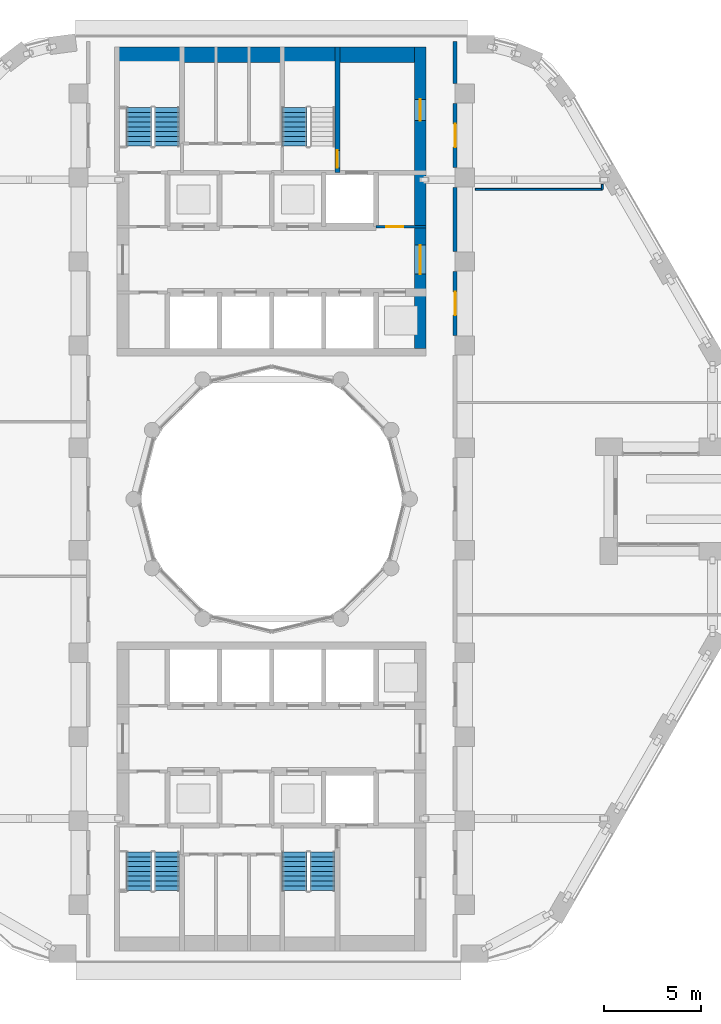
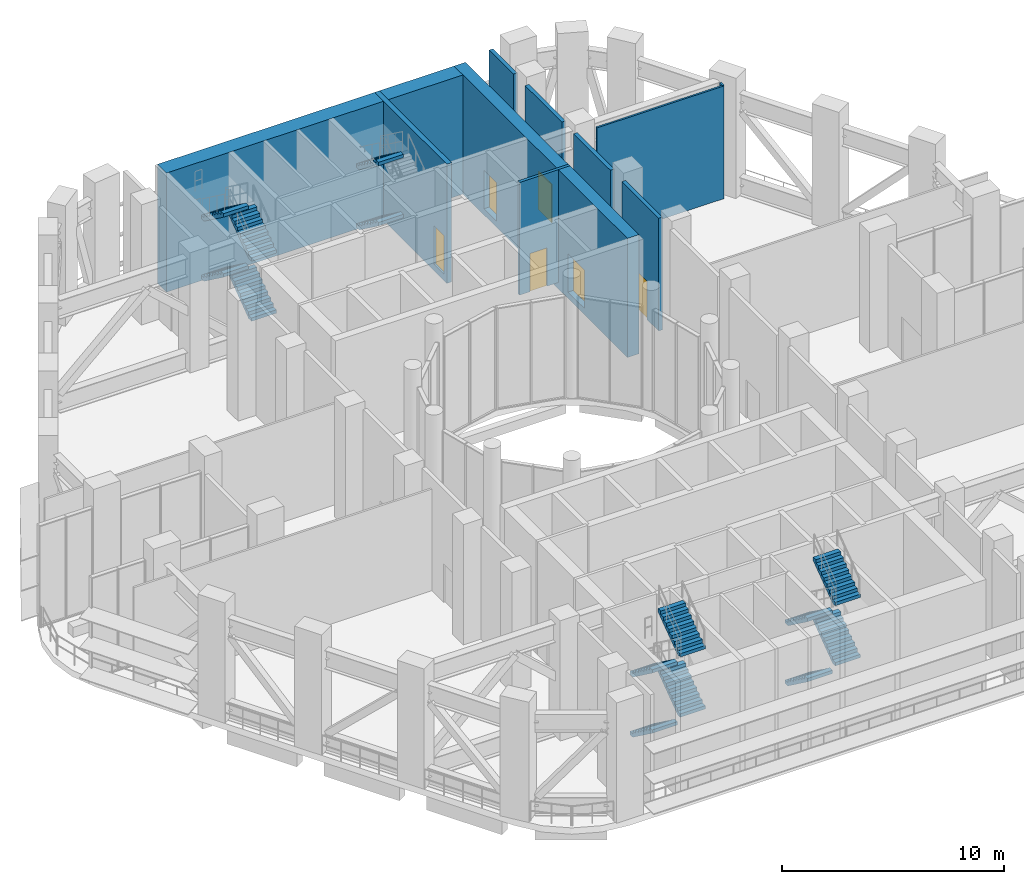
# One storey, part 11 of 21: 14 stair flights, 10 walls, 6 doors, 6 openings, 4 elements without a shape of their own.
"""IFC4 building model written with IfcOpenShell, lengths in metres."""

import ifcopenshell
import ifcopenshell.guid

model = None  # the IFC model being written
_history = None  # IfcOwnerHistory: only IFC2X3 demands one
_inside = {}  # id of a spatial element -> (the spatial element, [elements in it])
_under = {}  # id of a project, library or spatial element -> (it, [spatial elements below it])
_declared = {}  # id of a project -> (the project, [libraries it declares])
_typed = {}  # id of a type object -> (the type object, [elements of that type])
_made_of = {}  # id of a material, layer set ... -> (it, [elements and type objects made of it])


def new_model(schema):
    """Start an empty IFC model of exactly this schema.

    Asked for "IFC4X3", IfcOpenShell would pick the latest addendum, in which some entities
    have other attributes; the version numbers below select the first issue.
    IFC2X3 requires an IfcOwnerHistory on every rooted entity: one is made here for all.
    """
    global model, _history
    if schema == "IFC4X3":
        model = ifcopenshell.file(schema_version=(4, 3, 0, 0))
    else:
        model = ifcopenshell.file(schema=schema)
    _inside.clear()
    _under.clear()
    _declared.clear()
    _typed.clear()
    _made_of.clear()
    _history = None
    if model.schema == "IFC2X3":
        org = make("IfcOrganization", Name="unknown")
        user = make(
            "IfcPersonAndOrganization",
            ThePerson=make("IfcPerson", FamilyName="unknown"),
            TheOrganization=org,
        )
        app = make(
            "IfcApplication",
            ApplicationDeveloper=org,
            Version="unknown",
            ApplicationFullName="unknown",
            ApplicationIdentifier="unknown",
        )
        _history = make(
            "IfcOwnerHistory",
            OwningUser=user,
            OwningApplication=app,
            ChangeAction="ADDED",
            CreationDate=0,
        )
    return model


def make(cls, **values):
    """One entity of the class cls with the attributes given. An attribute that is None is left unset."""
    return model.create_entity(
        cls, **{name: value for name, value in values.items() if value is not None}
    )


def rooted(cls, **values):
    """An entity with a GlobalId (a new one), such as an element, a storey or a relation."""
    return make(cls, GlobalId=ifcopenshell.guid.new(), OwnerHistory=_history, **values)


def si_unit(unit_type, name, prefix=None):
    """IfcSIUnit, for example si_unit("LENGTHUNIT", "METRE", prefix="MILLI")."""
    return make("IfcSIUnit", UnitType=unit_type, Prefix=prefix, Name=name)


def assignment(units):
    """IfcUnitAssignment: the units of a project."""
    return None if units is None else make("IfcUnitAssignment", Units=units)


def point(xyz):
    """IfcCartesianPoint."""
    return None if xyz is None else make("IfcCartesianPoint", Coordinates=xyz)


def direction(xyz):
    """IfcDirection."""
    return None if xyz is None else make("IfcDirection", DirectionRatios=xyz)


def frame(location, z_axis=None, x_axis=None):
    """IfcAxis2Placement3D, a coordinate frame: its origin and axes. An axis left out is left unset."""
    return make(
        "IfcAxis2Placement3D",
        Location=point(location),
        Axis=direction(z_axis),
        RefDirection=direction(x_axis),
    )


def frame_2d(location, x_axis=None):
    """IfcAxis2Placement2D, a coordinate frame in the plane: its origin and x axis."""
    return make(
        "IfcAxis2Placement2D", Location=point(location), RefDirection=direction(x_axis)
    )


def origin():
    """The frame at (0, 0, 0) with its axes left unset."""
    return frame((0.0, 0.0, 0.0))


def place(relative_to, where):
    """IfcLocalPlacement: puts the frame where relative to a parent placement (None: the world)."""
    return make(
        "IfcLocalPlacement", PlacementRelTo=relative_to, RelativePlacement=where
    )


def context(
    kind, dimensions, precision=None, world=None, true_north=None, identifier=None
):
    """IfcGeometricRepresentationContext, for example the 3D "Model" context."""
    return make(
        "IfcGeometricRepresentationContext",
        ContextIdentifier=identifier,
        ContextType=kind,
        CoordinateSpaceDimension=dimensions,
        Precision=precision,
        WorldCoordinateSystem=world,
        TrueNorth=true_north,
    )


def subcontext(parent, identifier, kind, view, scale=None):
    """IfcGeometricRepresentationSubContext, for example "Body" below "Model"."""
    return make(
        "IfcGeometricRepresentationSubContext",
        ContextIdentifier=identifier,
        ContextType=kind,
        ParentContext=parent,
        TargetScale=scale,
        TargetView=view,
    )


def project(units=None, contexts=None):
    """IfcProject with its units and contexts."""
    return rooted(
        "IfcProject",
        Name="project",
        RepresentationContexts=contexts,
        UnitsInContext=assignment(units),
    )


def spatial(cls, under=None, at=None, **own):
    """A site, building, storey or space (cls), placed at a placement, below another one or the project."""
    s = rooted(cls, ObjectPlacement=at, **own)
    if under is not None:
        _under.setdefault(under.id(), (under, []))[1].append(s)
    return s


def polyline(points):
    """IfcPolyline through the points."""
    return make("IfcPolyline", Points=[point(p) for p in points])


def profile(cls, at=None, kind="AREA", **sizes):
    """A parametric profile (cls). Its sizes go by their IFC names, for example OverallWidth=200.0."""
    return make(cls, ProfileType=kind, Position=at, **sizes)


def rectangle(**sizes):
    """IfcRectangleProfileDef."""
    return profile("IfcRectangleProfileDef", **sizes)


def outline(outer, holes=None, kind="AREA"):
    """IfcArbitraryClosedProfileDef: a profile drawn as a closed curve; with holes, ...WithVoids."""
    if holes is None:
        return make("IfcArbitraryClosedProfileDef", ProfileType=kind, OuterCurve=outer)
    return make(
        "IfcArbitraryProfileDefWithVoids",
        ProfileType=kind,
        OuterCurve=outer,
        InnerCurves=holes,
    )


def extrude(swept, where, along, depth):
    """IfcExtrudedAreaSolid: the profile swept, set in the frame where, extruded along a direction by depth."""
    return make(
        "IfcExtrudedAreaSolid",
        SweptArea=swept,
        Position=where,
        ExtrudedDirection=direction(along),
        Depth=depth,
    )


def shape(context_of_items, identifier, shape_type, items):
    """IfcShapeRepresentation: the items that make up one representation, for example the "Body"."""
    return make(
        "IfcShapeRepresentation",
        ContextOfItems=context_of_items,
        RepresentationIdentifier=identifier,
        RepresentationType=shape_type,
        Items=items,
    )


def material(Name=None, Category=None):
    """IfcMaterial."""
    return make("IfcMaterial", Name=Name, Category=Category)


def layer(
    of_material, thickness, ventilated=None, Name=None, Category=None, Priority=None
):
    """IfcMaterialLayer: one layer of a wall or slab, of a material (None: an air gap)."""
    return make(
        "IfcMaterialLayer",
        Material=of_material,
        LayerThickness=thickness,
        IsVentilated=ventilated,
        Name=Name,
        Category=Category,
        Priority=Priority,
    )


def layer_set(layers, Name=None):
    """IfcMaterialLayerSet."""
    return make("IfcMaterialLayerSet", MaterialLayers=layers, LayerSetName=Name)


def made_of(thing, what):
    """Note that an element or type object is made of a material, layer set ...; save() writes the relation."""
    if what is not None:
        _made_of.setdefault(what.id(), (what, []))[1].append(thing)
    return thing


def type_object(cls, material=None, **own):
    """A type object (cls), such as IfcWallType, which elements share."""
    return made_of(rooted(cls, **own), material)


def element(
    cls,
    number,
    at=None,
    inside=None,
    cuts=None,
    type_object=None,
    material=None,
    context=None,
    identifier="Body",
    shape_type=None,
    held_by="IfcProductDefinitionShape",
    body=None,
    shapes=None,
    **own,
):
    """One element of the class cls, such as IfcWall. Its Tag is "e" and its number.

    at: its placement. inside: the storey or other place that contains it. cuts: it is an
    opening in that element (IfcRelVoidsElement). A single representation is given by context,
    identifier, shape_type and body (its items); several are given by shapes. held_by: the class
    of the entity that holds the representations. save() writes the other relations.
    """
    e = rooted(cls, Tag="e%d" % number, ObjectPlacement=at, **own)
    if body is not None:
        shapes = [shape(context, identifier, shape_type, body)]
    if shapes is not None:
        e.Representation = make(held_by, Representations=shapes)
    if inside is not None:
        _inside.setdefault(inside.id(), (inside, []))[1].append(e)
    if cuts is not None:
        rooted(
            "IfcRelVoidsElement", RelatingBuildingElement=cuts, RelatedOpeningElement=e
        )
    if type_object is not None:
        _typed.setdefault(type_object.id(), (type_object, []))[1].append(e)
    return made_of(e, material)


def fill(opening, filler):
    """IfcRelFillsElement: the door or window that sits in an opening."""
    return rooted(
        "IfcRelFillsElement",
        RelatingOpeningElement=opening,
        RelatedBuildingElement=filler,
    )


def aggregate(whole, parts):
    """IfcRelAggregates: a whole, such as a stair, and the parts it consists of."""
    return rooted("IfcRelAggregates", RelatingObject=whole, RelatedObjects=parts)


def save(model, path):
    """Write the relations noted so far, then the file.

    IfcRelAggregates (storeys below a building ...), IfcRelContainedInSpatialStructure (elements
    in a storey), IfcRelDefinesByType, IfcRelAssociatesMaterial and IfcRelDeclares: one each for
    every whole, place, type object, material and project.
    """
    for whole, parts in _under.values():
        aggregate(whole, parts)
    for where, things in _inside.values():
        rooted(
            "IfcRelContainedInSpatialStructure",
            RelatedElements=things,
            RelatingStructure=where,
        )
    for kind, things in _typed.values():
        rooted("IfcRelDefinesByType", RelatedObjects=things, RelatingType=kind)
    for what, things in _made_of.values():
        rooted("IfcRelAssociatesMaterial", RelatedObjects=things, RelatingMaterial=what)
    for by, libraries in _declared.values():
        rooted("IfcRelDeclares", RelatingContext=by, RelatedDefinitions=libraries)
    model.write(path)


model = new_model("IFC4")

# Units and contexts
model_context = context("Model", 3, precision=1e-05, world=origin(), true_north=direction((0.0, 1.0)))
body_context = subcontext(model_context, "Body", "Model", "MODEL_VIEW")
ifc_project = project(units=[si_unit("LENGTHUNIT", "METRE"), si_unit("AREAUNIT", "SQUARE_METRE"), si_unit("VOLUMEUNIT", "CUBIC_METRE"), si_unit("PLANEANGLEUNIT", "RADIAN"), si_unit("MASSUNIT", "GRAM", prefix="KILO")], contexts=[model_context])

# Site, building, storey
site_placement = place(None, origin())
site = spatial("IfcSite", under=ifc_project, at=site_placement, CompositionType="ELEMENT")
building_placement = place(site_placement, origin())
building = spatial("IfcBuilding", under=site, at=building_placement, Name="Nakaniwa Court", CompositionType="ELEMENT")
storey_placement = place(building_placement, frame((0.0, 0.0, 120.60009765625)))
storey = spatial("IfcBuildingStorey", under=building, at=storey_placement, Name="S2", CompositionType="ELEMENT", Elevation=120.60009765625)

# Wall, opening, door
ifc_material_1 = material(Name="Acoustic double stud partition")
ifc_layer_1 = layer(ifc_material_1, 0.199951171875)
ifc_layer_set_1 = layer_set([ifc_layer_1], Name="Acoustic double stud partition")
wall_type_1 = type_object("IfcWallType", Name="Acoustic double stud partition 200", PredefinedType="PARTITIONING", material=ifc_layer_set_1)
wall_1_placement = place(storey_placement, frame((89.5, 91.782958984375, 0.0), z_axis=(0.0, 0.0, 1.0), x_axis=(0.0, -1.0, 0.0)))
wall_1 = element("IfcWall", 1, at=wall_1_placement, inside=storey, type_object=wall_type_1, Name="Partition PW-072", PredefinedType="PARTITIONING", context=body_context, shape_type="SweptSolid", body=[
    extrude(rectangle(XDim=3.31591796875, YDim=0.199951171875, at=frame_2d((1.657958984375, 0.0))), origin(), (0.0, 0.0, 1.0), 6.18994140625),
])
opening_1_placement = place(wall_1_placement, frame((1.05810546875, 0.0, 0.0)))
opening_1 = element("IfcOpeningElement", 2, at=opening_1_placement, cuts=wall_1, Name="Opening D-30-03", PredefinedType="OPENING", context=body_context, shape_type="SweptSolid", body=[
    extrude(rectangle(XDim=1.199951171875, YDim=2.10009765625, at=frame_2d((0.60009765625, 1.050048828125))), frame((0.0, 0.10986328125, 0.0), z_axis=(0.0, -1.0, 0.0), x_axis=(1.0, 0.0, 0.0)), (0.0, 0.0, 1.0), 0.219970703125),
])
ifc_material_2 = material(Name="Solid core timber door set, black veneer", Category="wood")
door_type_1 = type_object("IfcDoorType", Name="Internal door 1200", OperationType="NOTDEFINED", PredefinedType="DOOR", material=ifc_material_2)
door_1_placement = place(opening_1_placement, origin())
door_1 = element("IfcDoor", 3, at=door_1_placement, inside=storey, type_object=door_type_1, Name="Door D-30-03 S2-024", OperationType="SINGLE_SWING_LEFT", OverallHeight=2.10009765625, OverallWidth=1.199951171875, PredefinedType="DOOR", context=body_context, shape_type="SweptSolid", body=[
    extrude(rectangle(XDim=1.199951171875, YDim=2.10009765625, at=frame_2d((0.60009765625, 1.050048828125))), frame((0.0, 0.02490234375, 0.0), z_axis=(0.0, -1.0, 0.0), x_axis=(1.0, 0.0, 0.0)), (0.0, 0.0, 1.0), 0.050048828125),
])
fill(opening_1, door_1)

# Wall
wall_2_placement = place(storey_placement, frame((89.5, 92.81689453125, 0.0), z_axis=(0.0, 0.0, 1.0), x_axis=(0.0, 1.0, 0.0)))
element("IfcWall", 4, at=wall_2_placement, inside=storey, type_object=wall_type_1, Name="Partition PW-073", PredefinedType="PARTITIONING", context=body_context, shape_type="SweptSolid", body=[
    extrude(rectangle(XDim=3.30322265625, YDim=0.199951171875, at=frame_2d((1.651611328125, 0.0))), origin(), (0.0, 0.0, 1.0), 6.18994140625),
])

# Wall, opening, door
wall_3_placement = place(storey_placement, frame((89.5, 100.48291015625, 0.0), z_axis=(0.0, 0.0, 1.0), x_axis=(0.0, -1.0, 0.0)))
wall_3 = element("IfcWall", 5, at=wall_3_placement, inside=storey, type_object=wall_type_1, Name="Partition PW-074", PredefinedType="PARTITIONING", context=body_context, shape_type="SweptSolid", body=[
    extrude(rectangle(XDim=3.31591796875, YDim=0.199951171875, at=frame_2d((1.657958984375, 0.0))), origin(), (0.0, 0.0, 1.0), 6.18994140625),
])
opening_2_placement = place(wall_3_placement, frame((1.05810546875, 0.0, 0.0)))
opening_2 = element("IfcOpeningElement", 6, at=opening_2_placement, cuts=wall_3, Name="Opening D-35-02", PredefinedType="OPENING", context=body_context, shape_type="SweptSolid", body=[
    extrude(rectangle(XDim=1.199951171875, YDim=2.10009765625, at=frame_2d((0.60009765625, 1.050048828125))), frame((0.0, 0.10986328125, 0.0), z_axis=(0.0, -1.0, 0.0), x_axis=(1.0, 0.0, 0.0)), (0.0, 0.0, 1.0), 0.219970703125),
])
ifc_material_3 = material(Name="Fire rated steel door set", Category="steel")
door_type_2 = type_object("IfcDoorType", Name="Service room door 1200", OperationType="NOTDEFINED", PredefinedType="DOOR", material=ifc_material_3)
door_2_placement = place(opening_2_placement, origin())
door_2 = element("IfcDoor", 7, at=door_2_placement, inside=storey, type_object=door_type_2, Name="Door D-35-02 S2-025", OperationType="SINGLE_SWING_RIGHT", OverallHeight=2.10009765625, OverallWidth=1.199951171875, PredefinedType="DOOR", context=body_context, shape_type="SweptSolid", body=[
    extrude(rectangle(XDim=1.199951171875, YDim=2.10009765625, at=frame_2d((0.60009765625, 1.050048828125))), frame((0.0, 0.02490234375, 0.0), z_axis=(0.0, -1.0, 0.0), x_axis=(1.0, 0.0, 0.0)), (0.0, 0.0, 1.0), 0.050048828125),
])
fill(opening_2, door_2)

# Wall
wall_4_placement = place(storey_placement, frame((89.5, 101.51708984375, 0.0), z_axis=(0.0, 0.0, 1.0), x_axis=(0.0, 1.0, 0.0)))
element("IfcWall", 8, at=wall_4_placement, inside=storey, type_object=wall_type_1, Name="Partition PW-075", PredefinedType="PARTITIONING", context=body_context, shape_type="SweptSolid", body=[
    extrude(rectangle(XDim=2.182861328125, YDim=0.199951171875, at=frame_2d((1.09130859375, 0.0))), origin(), (0.0, 0.0, 1.0), 6.18994140625),
])

# Wall, opening, door
ifc_material_4 = material(Name="Blockwork partition", Category="masonry")
ifc_layer_2 = layer(ifc_material_4, 0.14990234375)
ifc_layer_set_2 = layer_set([ifc_layer_2], Name="Blockwork partition")
wall_type_2 = type_object("IfcWallType", Name="Blockwork partition 150", PredefinedType="PARTITIONING", material=ifc_layer_set_2)
wall_5_placement = place(storey_placement, frame((85.39697265625, 94.10009765625, 0.0), z_axis=(0.0, 0.0, 1.0), x_axis=(1.0, 0.0, 0.0)))
wall_5 = element("IfcWall", 9, at=wall_5_placement, inside=storey, type_object=wall_type_2, Name="Partition PW-017", PredefinedType="PARTITIONING", context=body_context, shape_type="SweptSolid", body=[
    extrude(rectangle(XDim=2.60302734375, YDim=0.14990234375, at=frame_2d((1.301513671875, 0.0))), origin(), (0.0, 0.0, 1.0), 6.18994140625),
])
opening_3_placement = place(wall_5_placement, frame((0.528076171875, 0.0, 0.0)))
opening_3 = element("IfcOpeningElement", 10, at=opening_3_placement, cuts=wall_5, Name="Opening D-05-02", PredefinedType="OPENING", context=body_context, shape_type="SweptSolid", body=[
    extrude(rectangle(XDim=0.89990234375, YDim=2.10009765625, at=frame_2d((0.449951171875, 1.050048828125))), frame((0.0, 0.0849609375, 0.0), z_axis=(0.0, -1.0, 0.0), x_axis=(1.0, 0.0, 0.0)), (0.0, 0.0, 1.0), 0.169921875),
])
door_type_3 = type_object("IfcDoorType", Name="Service room door 900", OperationType="NOTDEFINED", PredefinedType="DOOR", material=ifc_material_3)
door_3_placement = place(opening_3_placement, origin())
door_3 = element("IfcDoor", 11, at=door_3_placement, inside=storey, type_object=door_type_3, Name="Door D-05-02 S2-004", OperationType="SINGLE_SWING_LEFT", OverallHeight=2.10009765625, OverallWidth=0.89990234375, PredefinedType="DOOR", context=body_context, shape_type="SweptSolid", body=[
    extrude(rectangle(XDim=0.89990234375, YDim=2.10009765625, at=frame_2d((0.449951171875, 1.050048828125))), frame((0.0, 0.02490234375, 0.0), z_axis=(0.0, -1.0, 0.0), x_axis=(1.0, 0.0, 0.0)), (0.0, 0.0, 1.0), 0.050048828125),
])
fill(opening_3, door_3)

# Wall, openings, doors
ifc_material_5 = material(Name="Concrete C80/100", Category="concrete")
ifc_layer_3 = layer(ifc_material_5, 0.60009765625)
ifc_layer_set_3 = layer_set([ifc_layer_3], Name="Concrete C80/100")
wall_type_3 = type_object("IfcWallType", Name="Concrete core side wall 600 C80", PredefinedType="SHEAR", material=ifc_layer_set_3)
wall_6_placement = place(storey_placement, frame((87.699951171875, 103.39990234375, -0.35009765625), z_axis=(0.0, 0.0, 1.0), x_axis=(0.0, -1.0, 0.0)))
wall_6 = element("IfcWall", 12, at=wall_6_placement, inside=storey, type_object=wall_type_3, Name="Core wall SW-14", PredefinedType="SHEAR", context=body_context, shape_type="SweptSolid", body=[
    extrude(rectangle(XDim=15.599853515625, YDim=0.60009765625, at=frame_2d((7.7998046875, 0.0))), origin(), (0.0, 0.0, 1.0), 6.5400390625),
])
opening_4_placement = place(wall_6_placement, frame((10.25, 0.0, 0.35009765625)))
opening_4 = element("IfcOpeningElement", 13, at=opening_4_placement, cuts=wall_6, Name="Opening D-07-01", PredefinedType="OPENING", context=body_context, shape_type="SweptSolid", body=[
    extrude(rectangle(XDim=1.5, YDim=2.10009765625, at=frame_2d((0.75, 1.050048828125))), frame((0.0, 0.31005859375, 0.0), z_axis=(0.0, -1.0, 0.0), x_axis=(1.0, 0.0, 0.0)), (0.0, 0.0, 1.0), 0.6201171875),
])
opening_5_placement = place(wall_6_placement, frame((2.699951171875, 0.0, 0.35009765625)))
opening_5 = element("IfcOpeningElement", 14, at=opening_5_placement, cuts=wall_6, Name="Opening D-10-01", PredefinedType="OPENING", context=body_context, shape_type="SweptSolid", body=[
    extrude(rectangle(XDim=1.10009765625, YDim=2.10009765625, at=frame_2d((0.550048828125, 1.050048828125))), frame((0.0, 0.31005859375, 0.0), z_axis=(0.0, -1.0, 0.0), x_axis=(1.0, 0.0, 0.0)), (0.0, 0.0, 1.0), 0.6201171875),
])
door_type_4 = type_object("IfcDoorType", Name="Firefighting lobby door 1100", OperationType="NOTDEFINED", PredefinedType="DOOR", material=ifc_material_3)
door_4_placement = place(opening_5_placement, origin())
door_4 = element("IfcDoor", 15, at=door_4_placement, inside=storey, type_object=door_type_4, Name="Door D-10-01 S2-033", OperationType="SINGLE_SWING_RIGHT", OverallHeight=2.10009765625, OverallWidth=1.10009765625, PredefinedType="DOOR", context=body_context, shape_type="SweptSolid", body=[
    extrude(rectangle(XDim=1.10009765625, YDim=2.10009765625, at=frame_2d((0.550048828125, 1.050048828125))), frame((0.0, 0.02490234375, 0.0), z_axis=(0.0, -1.0, 0.0), x_axis=(1.0, 0.0, 0.0)), (0.0, 0.0, 1.0), 0.050048828125),
])
fill(opening_5, door_4)
ifc_material_6 = material(Name="Glazed fire rated steel double door set", Category="steel")
door_type_5 = type_object("IfcDoorType", Name="Lobby double door 1500", OperationType="NOTDEFINED", PredefinedType="DOOR", material=ifc_material_6)
door_5_placement = place(opening_4_placement, origin())
door_5 = element("IfcDoor", 16, at=door_5_placement, inside=storey, type_object=door_type_5, Name="Door D-07-01 S2-031", OperationType="DOUBLE_DOOR_SINGLE_SWING", OverallHeight=2.10009765625, OverallWidth=1.5, PredefinedType="DOOR", context=body_context, shape_type="SweptSolid", body=[
    extrude(rectangle(XDim=1.5, YDim=2.10009765625, at=frame_2d((0.75, 1.050048828125))), frame((0.0, 0.02490234375, 0.0), z_axis=(0.0, -1.0, 0.0), x_axis=(1.0, 0.0, 0.0)), (0.0, 0.0, 1.0), 0.050048828125),
])
fill(opening_4, door_5)

# Wall
ifc_layer_4 = layer(ifc_material_5, 0.800048828125)
ifc_layer_set_4 = layer_set([ifc_layer_4], Name="Concrete C80/100")
wall_type_4 = type_object("IfcWallType", Name="Concrete core wall 800 C80", PredefinedType="SHEAR", material=ifc_layer_set_4)
wall_7_placement = place(storey_placement, frame((72.00390625, 103.0, -0.35009765625), z_axis=(0.0, 0.0, 1.0), x_axis=(1.0, 0.0, 0.0)))
element("IfcWall", 17, at=wall_7_placement, inside=storey, type_object=wall_type_4, Name="Core wall SW-92", PredefinedType="SHEAR", context=body_context, shape_type="SweptSolid", body=[
    extrude(rectangle(XDim=15.9921875, YDim=0.800048828125, at=frame_2d((7.99609375, 0.0))), origin(), (0.0, 0.0, 1.0), 6.5400390625),
])

# Wall, opening, door
ifc_layer_5 = layer(ifc_material_5, 0.25)
ifc_layer_set_5 = layer_set([ifc_layer_5], Name="Concrete C80/100")
wall_type_5 = type_object("IfcWallType", Name="Concrete shaft wall 250 C80", PredefinedType="SHEAR", material=ifc_layer_set_5)
wall_8_placement = place(storey_placement, frame((83.39990234375, 103.39990234375, -0.35009765625), z_axis=(0.0, 0.0, 1.0), x_axis=(0.0, -1.0, 0.0)))
wall_8 = element("IfcWall", 18, at=wall_8_placement, inside=storey, type_object=wall_type_5, Name="Core wall SW-27", PredefinedType="SHEAR", context=body_context, shape_type="SweptSolid", body=[
    extrude(rectangle(XDim=6.5, YDim=0.25, at=frame_2d((3.25, 0.0))), origin(), (0.0, 0.0, 1.0), 6.5400390625),
])
opening_6_placement = place(wall_8_placement, frame((5.35009765625, 0.0, 0.35009765625)))
opening_6 = element("IfcOpeningElement", 19, at=opening_6_placement, cuts=wall_8, Name="Opening D-11-01", PredefinedType="OPENING", context=body_context, shape_type="SweptSolid", body=[
    extrude(rectangle(XDim=0.89990234375, YDim=2.10009765625, at=frame_2d((0.449951171875, 1.050048828125))), frame((0.0, 0.135009765625, 0.0), z_axis=(0.0, -1.0, 0.0), x_axis=(1.0, 0.0, 0.0)), (0.0, 0.0, 1.0), 0.27001953125),
])
door_type_6 = type_object("IfcDoorType", Name="Stair door 900", OperationType="NOTDEFINED", PredefinedType="DOOR", material=ifc_material_3)
door_6_placement = place(opening_6_placement, origin())
door_6 = element("IfcDoor", 20, at=door_6_placement, inside=storey, type_object=door_type_6, Name="Door D-11-01 S2-010", OperationType="SINGLE_SWING_RIGHT", OverallHeight=2.10009765625, OverallWidth=0.89990234375, PredefinedType="DOOR", context=body_context, shape_type="SweptSolid", body=[
    extrude(rectangle(XDim=0.89990234375, YDim=2.10009765625, at=frame_2d((0.449951171875, 1.050048828125))), frame((0.0, 0.02490234375, 0.0), z_axis=(0.0, -1.0, 0.0), x_axis=(1.0, 0.0, 0.0)), (0.0, 0.0, 1.0), 0.050048828125),
])
fill(opening_6, door_6)

# Walls
ifc_material_7 = material(Name="Single stud plasterboard partition")
ifc_layer_6 = layer(ifc_material_7, 0.10009765625)
ifc_layer_set_6 = layer_set([ifc_layer_6], Name="Single stud plasterboard partition")
wall_type_6 = type_object("IfcWallType", Name="Single stud plasterboard partition 100", PredefinedType="PARTITIONING", material=ifc_layer_set_6)
wall_9_placement = place(storey_placement, frame((90.540283203125, 96.037109375, 0.0), z_axis=(0.0, 0.0, 1.0), x_axis=(1.0, 0.0, 0.0)))
element("IfcWall", 21, at=wall_9_placement, inside=storey, type_object=wall_type_6, Name="Partition PW-089", PredefinedType="PARTITIONING", context=body_context, shape_type="SweptSolid", body=[
    extrude(rectangle(XDim=6.585693359375, YDim=0.10009765625, at=frame_2d((3.29296875, 0.0))), origin(), (0.0, 0.0, 1.0), 6.18994140625),
])
wall_10_placement = place(storey_placement, frame((97.1259765625, 96.037109375, 0.0), z_axis=(0.0, 0.0, 1.0), x_axis=(0.0, 1.0, 0.0)))
element("IfcWall", 22, at=wall_10_placement, inside=storey, type_object=wall_type_6, Name="Partition PW-090", PredefinedType="PARTITIONING", context=body_context, shape_type="SweptSolid", body=[
    extrude(rectangle(XDim=0.260009765625, YDim=0.10009765625, at=frame_2d((0.1298828125, 0.0))), origin(), (0.0, 0.0, 1.0), 6.18994140625),
])

# Stair, stair flights
stair_type = type_object("IfcStairType", Name="Dog leg stair 1300 wide 36 risers", PredefinedType="HALF_TURN_STAIR", material=ifc_material_5)
stair_1_placement = place(storey_placement, origin())
stair_1 = element("IfcStair", 23, at=stair_1_placement, inside=storey, type_object=stair_type, Name="S2 Stair ST1", PredefinedType="HALF_TURN_STAIR")
stair_flight_type = type_object("IfcStairFlightType", Name="Stair flight 1300 wide 9 risers", PredefinedType="STRAIGHT", material=ifc_material_5)
stair_flight_1_placement = place(storey_placement, frame((74.574951171875, 98.27490234375, 0.0), z_axis=(0.0, 0.0, 1.0), x_axis=(0.0, 1.0, 0.0)))
stair_flight_1 = element("IfcStairFlight", 24, at=stair_flight_1_placement, type_object=stair_flight_type, Name="ST1 flight 1", NumberOfRisers=9, NumberOfTreads=8, PredefinedType="STRAIGHT", RiserHeight=0.183333333, TreadLength=0.25, context=body_context, shape_type="SweptSolid", body=[
    extrude(outline(polyline([(0.0, 0.0), (0.0, 0.026123046875), (0.0, 0.052490234375), (0.0, 0.07861328125), (0.0, 0.104736328125), (0.0, 0.130859375), (0.0, 0.1572265625), (0.0, 0.183349609375), (0.25, 0.183349609375), (0.25, 0.36669921875), (0.5, 0.36669921875), (0.5, 0.550048828125), (0.75, 0.550048828125), (0.75, 0.7333984375), (1.0, 0.7333984375), (1.0, 0.916748046875), (1.25, 0.916748046875), (1.25, 1.10009765625), (1.5, 1.10009765625), (1.5, 1.283447265625), (1.75, 1.283447265625), (1.75, 1.466552734375), (2.0, 1.466552734375), (2.0, 1.64990234375), (2.0, 1.59716796875), (2.0, 1.54443359375), (2.0, 1.49169921875), (2.0, 1.43896484375), (2.0, 1.38623046875), (2.0, 1.33349609375), (2.0, 1.28076171875), (0.25341796875, 0.0), (0.0, 0.0)])), frame((0.0, 0.64990234375, 0.0), z_axis=(0.0, -1.0, 0.0), x_axis=(1.0, 0.0, 0.0)), (0.0, 0.0, 1.0), 1.300048828125),
])
stair_flight_2_placement = place(storey_placement, frame((73.125, 100.27490234375, 1.64990234375), z_axis=(0.0, 0.0, 1.0), x_axis=(0.0, -1.0, 0.0)))
stair_flight_2 = element("IfcStairFlight", 25, at=stair_flight_2_placement, type_object=stair_flight_type, Name="ST1 flight 2", NumberOfRisers=9, NumberOfTreads=8, PredefinedType="STRAIGHT", RiserHeight=0.183333333, TreadLength=0.25, context=body_context, shape_type="SweptSolid", body=[
    extrude(outline(polyline([(0.0, 0.0), (0.0, 0.026123046875), (0.0, 0.052490234375), (0.0, 0.07861328125), (0.0, 0.104736328125), (0.0, 0.130859375), (0.0, 0.1572265625), (0.0, 0.183349609375), (0.25, 0.183349609375), (0.25, 0.36669921875), (0.5, 0.36669921875), (0.5, 0.550048828125), (0.75, 0.550048828125), (0.75, 0.7333984375), (1.0, 0.7333984375), (1.0, 0.916748046875), (1.25, 0.916748046875), (1.25, 1.10009765625), (1.5, 1.10009765625), (1.5, 1.283447265625), (1.75, 1.283447265625), (1.75, 1.466552734375), (2.0, 1.466552734375), (2.0, 1.64990234375), (2.0, 1.59716796875), (2.0, 1.54443359375), (2.0, 1.49169921875), (2.0, 1.43896484375), (2.0, 1.38623046875), (2.0, 1.33349609375), (2.0, 1.28076171875), (0.25341796875, 0.0), (0.0, 0.0)])), frame((0.0, 0.64990234375, 0.0), z_axis=(0.0, -1.0, 0.0), x_axis=(1.0, 0.0, 0.0)), (0.0, 0.0, 1.0), 1.300048828125),
])
stair_flight_3_placement = place(storey_placement, frame((74.574951171875, 98.27490234375, 3.2998046875), z_axis=(0.0, 0.0, 1.0), x_axis=(0.0, 1.0, 0.0)))
stair_flight_3 = element("IfcStairFlight", 26, at=stair_flight_3_placement, type_object=stair_flight_type, Name="ST1 flight 3", NumberOfRisers=9, NumberOfTreads=8, PredefinedType="STRAIGHT", RiserHeight=0.183333333, TreadLength=0.25, context=body_context, shape_type="SweptSolid", body=[
    extrude(outline(polyline([(0.0, 0.0), (0.0, 0.026123046875), (0.0, 0.052490234375), (0.0, 0.07861328125), (0.0, 0.104736328125), (0.0, 0.130859375), (0.0, 0.1572265625), (0.0, 0.183349609375), (0.25, 0.183349609375), (0.25, 0.36669921875), (0.5, 0.36669921875), (0.5, 0.550048828125), (0.75, 0.550048828125), (0.75, 0.7333984375), (1.0, 0.7333984375), (1.0, 0.916748046875), (1.25, 0.916748046875), (1.25, 1.10009765625), (1.5, 1.10009765625), (1.5, 1.283447265625), (1.75, 1.283447265625), (1.75, 1.466552734375), (2.0, 1.466552734375), (2.0, 1.64990234375), (2.0, 1.59716796875), (2.0, 1.54443359375), (2.0, 1.49169921875), (2.0, 1.43896484375), (2.0, 1.38623046875), (2.0, 1.33349609375), (2.0, 1.28076171875), (0.25341796875, 0.0), (0.0, 0.0)])), frame((0.0, 0.64990234375, 0.0), z_axis=(0.0, -1.0, 0.0), x_axis=(1.0, 0.0, 0.0)), (0.0, 0.0, 1.0), 1.300048828125),
])
stair_flight_4_placement = place(storey_placement, frame((73.125, 100.27490234375, 4.949951171875), z_axis=(0.0, 0.0, 1.0), x_axis=(0.0, -1.0, 0.0)))
stair_flight_4 = element("IfcStairFlight", 27, at=stair_flight_4_placement, type_object=stair_flight_type, Name="ST1 flight 4", NumberOfRisers=9, NumberOfTreads=8, PredefinedType="STRAIGHT", RiserHeight=0.183333333, TreadLength=0.25, context=body_context, shape_type="SweptSolid", body=[
    extrude(outline(polyline([(0.0, 0.0), (0.0, 0.026123046875), (0.0, 0.052490234375), (0.0, 0.07861328125), (0.0, 0.104736328125), (0.0, 0.130859375), (0.0, 0.1572265625), (0.0, 0.183349609375), (0.25, 0.183349609375), (0.25, 0.36669921875), (0.5, 0.36669921875), (0.5, 0.550048828125), (0.75, 0.550048828125), (0.75, 0.7333984375), (1.0, 0.7333984375), (1.0, 0.916748046875), (1.25, 0.916748046875), (1.25, 1.10009765625), (1.5, 1.10009765625), (1.5, 1.283447265625), (1.75, 1.283447265625), (1.75, 1.466552734375), (2.0, 1.466552734375), (2.0, 1.64990234375), (2.0, 1.59716796875), (2.0, 1.54443359375), (2.0, 1.49169921875), (2.0, 1.43896484375), (2.0, 1.38623046875), (2.0, 1.33349609375), (2.0, 1.28076171875), (0.25341796875, 0.0), (0.0, 0.0)])), frame((0.0, 0.64990234375, 0.0), z_axis=(0.0, -1.0, 0.0), x_axis=(1.0, 0.0, 0.0)), (0.0, 0.0, 1.0), 1.300048828125),
])
aggregate(stair_1, [stair_flight_1, stair_flight_2, stair_flight_3, stair_flight_4])

stair_2_placement = place(storey_placement, origin())
stair_2 = element("IfcStair", 28, at=stair_2_placement, inside=storey, type_object=stair_type, Name="S2 Stair ST2", PredefinedType="HALF_TURN_STAIR")
stair_flight_5_placement = place(storey_placement, frame((81.175048828125, 100.27490234375, 1.64990234375), z_axis=(0.0, 0.0, 1.0), x_axis=(0.0, -1.0, 0.0)))
stair_flight_5 = element("IfcStairFlight", 29, at=stair_flight_5_placement, type_object=stair_flight_type, Name="ST2 flight 2", NumberOfRisers=9, NumberOfTreads=8, PredefinedType="STRAIGHT", RiserHeight=0.183333333, TreadLength=0.25, context=body_context, shape_type="SweptSolid", body=[
    extrude(outline(polyline([(0.0, 0.0), (0.0, 0.026123046875), (0.0, 0.052490234375), (0.0, 0.07861328125), (0.0, 0.104736328125), (0.0, 0.130859375), (0.0, 0.1572265625), (0.0, 0.183349609375), (0.25, 0.183349609375), (0.25, 0.36669921875), (0.5, 0.36669921875), (0.5, 0.550048828125), (0.75, 0.550048828125), (0.75, 0.7333984375), (1.0, 0.7333984375), (1.0, 0.916748046875), (1.25, 0.916748046875), (1.25, 1.10009765625), (1.5, 1.10009765625), (1.5, 1.283447265625), (1.75, 1.283447265625), (1.75, 1.466552734375), (2.0, 1.466552734375), (2.0, 1.64990234375), (2.0, 1.59716796875), (2.0, 1.54443359375), (2.0, 1.49169921875), (2.0, 1.43896484375), (2.0, 1.38623046875), (2.0, 1.33349609375), (2.0, 1.28076171875), (0.25341796875, 0.0), (0.0, 0.0)])), frame((0.0, 0.64990234375, 0.0), z_axis=(0.0, -1.0, 0.0), x_axis=(1.0, 0.0, 0.0)), (0.0, 0.0, 1.0), 1.300048828125),
])
stair_flight_6_placement = place(storey_placement, frame((81.175048828125, 100.27490234375, 4.949951171875), z_axis=(0.0, 0.0, 1.0), x_axis=(0.0, -1.0, 0.0)))
stair_flight_6 = element("IfcStairFlight", 30, at=stair_flight_6_placement, type_object=stair_flight_type, Name="ST2 flight 4", NumberOfRisers=9, NumberOfTreads=8, PredefinedType="STRAIGHT", RiserHeight=0.183333333, TreadLength=0.25, context=body_context, shape_type="SweptSolid", body=[
    extrude(outline(polyline([(0.0, 0.0), (0.0, 0.026123046875), (0.0, 0.052490234375), (0.0, 0.07861328125), (0.0, 0.104736328125), (0.0, 0.130859375), (0.0, 0.1572265625), (0.0, 0.183349609375), (0.25, 0.183349609375), (0.25, 0.36669921875), (0.5, 0.36669921875), (0.5, 0.550048828125), (0.75, 0.550048828125), (0.75, 0.7333984375), (1.0, 0.7333984375), (1.0, 0.916748046875), (1.25, 0.916748046875), (1.25, 1.10009765625), (1.5, 1.10009765625), (1.5, 1.283447265625), (1.75, 1.283447265625), (1.75, 1.466552734375), (2.0, 1.466552734375), (2.0, 1.64990234375), (2.0, 1.59716796875), (2.0, 1.54443359375), (2.0, 1.49169921875), (2.0, 1.43896484375), (2.0, 1.38623046875), (2.0, 1.33349609375), (2.0, 1.28076171875), (0.25341796875, 0.0), (0.0, 0.0)])), frame((0.0, 0.64990234375, 0.0), z_axis=(0.0, -1.0, 0.0), x_axis=(1.0, 0.0, 0.0)), (0.0, 0.0, 1.0), 1.300048828125),
])
aggregate(stair_2, [stair_flight_5, stair_flight_6])

stair_3_placement = place(storey_placement, origin())
stair_3 = element("IfcStair", 31, at=stair_3_placement, inside=storey, type_object=stair_type, Name="S2 Stair ST3", PredefinedType="HALF_TURN_STAIR")
stair_flight_7_placement = place(storey_placement, frame((73.125, 61.72509765625, 0.0), z_axis=(0.0, 0.0, 1.0), x_axis=(0.0, -1.0, 0.0)))
stair_flight_7 = element("IfcStairFlight", 32, at=stair_flight_7_placement, type_object=stair_flight_type, Name="ST3 flight 1", NumberOfRisers=9, NumberOfTreads=8, PredefinedType="STRAIGHT", RiserHeight=0.183333333, TreadLength=0.25, context=body_context, shape_type="SweptSolid", body=[
    extrude(outline(polyline([(0.0, 0.0), (0.0, 0.026123046875), (0.0, 0.052490234375), (0.0, 0.07861328125), (0.0, 0.104736328125), (0.0, 0.130859375), (0.0, 0.1572265625), (0.0, 0.183349609375), (0.25, 0.183349609375), (0.25, 0.36669921875), (0.5, 0.36669921875), (0.5, 0.550048828125), (0.75, 0.550048828125), (0.75, 0.7333984375), (1.0, 0.7333984375), (1.0, 0.916748046875), (1.25, 0.916748046875), (1.25, 1.10009765625), (1.5, 1.10009765625), (1.5, 1.283447265625), (1.75, 1.283447265625), (1.75, 1.466552734375), (2.0, 1.466552734375), (2.0, 1.64990234375), (2.0, 1.59716796875), (2.0, 1.54443359375), (2.0, 1.49169921875), (2.0, 1.43896484375), (2.0, 1.38623046875), (2.0, 1.33349609375), (2.0, 1.28076171875), (0.25341796875, 0.0), (0.0, 0.0)])), frame((0.0, 0.64990234375, 0.0), z_axis=(0.0, -1.0, 0.0), x_axis=(1.0, 0.0, 0.0)), (0.0, 0.0, 1.0), 1.300048828125),
])
stair_flight_8_placement = place(storey_placement, frame((74.574951171875, 59.72509765625, 1.64990234375), z_axis=(0.0, 0.0, 1.0), x_axis=(0.0, 1.0, 0.0)))
stair_flight_8 = element("IfcStairFlight", 33, at=stair_flight_8_placement, type_object=stair_flight_type, Name="ST3 flight 2", NumberOfRisers=9, NumberOfTreads=8, PredefinedType="STRAIGHT", RiserHeight=0.183333333, TreadLength=0.25, context=body_context, shape_type="SweptSolid", body=[
    extrude(outline(polyline([(0.0, 0.0), (0.0, 0.026123046875), (0.0, 0.052490234375), (0.0, 0.07861328125), (0.0, 0.104736328125), (0.0, 0.130859375), (0.0, 0.1572265625), (0.0, 0.183349609375), (0.25, 0.183349609375), (0.25, 0.36669921875), (0.5, 0.36669921875), (0.5, 0.550048828125), (0.75, 0.550048828125), (0.75, 0.7333984375), (1.0, 0.7333984375), (1.0, 0.916748046875), (1.25, 0.916748046875), (1.25, 1.10009765625), (1.5, 1.10009765625), (1.5, 1.283447265625), (1.75, 1.283447265625), (1.75, 1.466552734375), (2.0, 1.466552734375), (2.0, 1.64990234375), (2.0, 1.59716796875), (2.0, 1.54443359375), (2.0, 1.49169921875), (2.0, 1.43896484375), (2.0, 1.38623046875), (2.0, 1.33349609375), (2.0, 1.28076171875), (0.25341796875, 0.0), (0.0, 0.0)])), frame((0.0, 0.64990234375, 0.0), z_axis=(0.0, -1.0, 0.0), x_axis=(1.0, 0.0, 0.0)), (0.0, 0.0, 1.0), 1.300048828125),
])
stair_flight_9_placement = place(storey_placement, frame((73.125, 61.72509765625, 3.2998046875), z_axis=(0.0, 0.0, 1.0), x_axis=(0.0, -1.0, 0.0)))
stair_flight_9 = element("IfcStairFlight", 34, at=stair_flight_9_placement, type_object=stair_flight_type, Name="ST3 flight 3", NumberOfRisers=9, NumberOfTreads=8, PredefinedType="STRAIGHT", RiserHeight=0.183333333, TreadLength=0.25, context=body_context, shape_type="SweptSolid", body=[
    extrude(outline(polyline([(0.0, 0.0), (0.0, 0.026123046875), (0.0, 0.052490234375), (0.0, 0.07861328125), (0.0, 0.104736328125), (0.0, 0.130859375), (0.0, 0.1572265625), (0.0, 0.183349609375), (0.25, 0.183349609375), (0.25, 0.36669921875), (0.5, 0.36669921875), (0.5, 0.550048828125), (0.75, 0.550048828125), (0.75, 0.7333984375), (1.0, 0.7333984375), (1.0, 0.916748046875), (1.25, 0.916748046875), (1.25, 1.10009765625), (1.5, 1.10009765625), (1.5, 1.283447265625), (1.75, 1.283447265625), (1.75, 1.466552734375), (2.0, 1.466552734375), (2.0, 1.64990234375), (2.0, 1.59716796875), (2.0, 1.54443359375), (2.0, 1.49169921875), (2.0, 1.43896484375), (2.0, 1.38623046875), (2.0, 1.33349609375), (2.0, 1.28076171875), (0.25341796875, 0.0), (0.0, 0.0)])), frame((0.0, 0.64990234375, 0.0), z_axis=(0.0, -1.0, 0.0), x_axis=(1.0, 0.0, 0.0)), (0.0, 0.0, 1.0), 1.300048828125),
])
stair_flight_10_placement = place(storey_placement, frame((74.574951171875, 59.72509765625, 4.949951171875), z_axis=(0.0, 0.0, 1.0), x_axis=(0.0, 1.0, 0.0)))
stair_flight_10 = element("IfcStairFlight", 35, at=stair_flight_10_placement, type_object=stair_flight_type, Name="ST3 flight 4", NumberOfRisers=9, NumberOfTreads=8, PredefinedType="STRAIGHT", RiserHeight=0.183333333, TreadLength=0.25, context=body_context, shape_type="SweptSolid", body=[
    extrude(outline(polyline([(0.0, 0.0), (0.0, 0.026123046875), (0.0, 0.052490234375), (0.0, 0.07861328125), (0.0, 0.104736328125), (0.0, 0.130859375), (0.0, 0.1572265625), (0.0, 0.183349609375), (0.25, 0.183349609375), (0.25, 0.36669921875), (0.5, 0.36669921875), (0.5, 0.550048828125), (0.75, 0.550048828125), (0.75, 0.7333984375), (1.0, 0.7333984375), (1.0, 0.916748046875), (1.25, 0.916748046875), (1.25, 1.10009765625), (1.5, 1.10009765625), (1.5, 1.283447265625), (1.75, 1.283447265625), (1.75, 1.466552734375), (2.0, 1.466552734375), (2.0, 1.64990234375), (2.0, 1.59716796875), (2.0, 1.54443359375), (2.0, 1.49169921875), (2.0, 1.43896484375), (2.0, 1.38623046875), (2.0, 1.33349609375), (2.0, 1.28076171875), (0.25341796875, 0.0), (0.0, 0.0)])), frame((0.0, 0.64990234375, 0.0), z_axis=(0.0, -1.0, 0.0), x_axis=(1.0, 0.0, 0.0)), (0.0, 0.0, 1.0), 1.300048828125),
])
aggregate(stair_3, [stair_flight_7, stair_flight_8, stair_flight_9, stair_flight_10])

stair_4_placement = place(storey_placement, origin())
stair_4 = element("IfcStair", 36, at=stair_4_placement, inside=storey, type_object=stair_type, Name="S2 Stair ST4", PredefinedType="HALF_TURN_STAIR")
stair_flight_11_placement = place(storey_placement, frame((81.175048828125, 61.72509765625, 0.0), z_axis=(0.0, 0.0, 1.0), x_axis=(0.0, -1.0, 0.0)))
stair_flight_11 = element("IfcStairFlight", 37, at=stair_flight_11_placement, type_object=stair_flight_type, Name="ST4 flight 1", NumberOfRisers=9, NumberOfTreads=8, PredefinedType="STRAIGHT", RiserHeight=0.183333333, TreadLength=0.25, context=body_context, shape_type="SweptSolid", body=[
    extrude(outline(polyline([(0.0, 0.0), (0.0, 0.026123046875), (0.0, 0.052490234375), (0.0, 0.07861328125), (0.0, 0.104736328125), (0.0, 0.130859375), (0.0, 0.1572265625), (0.0, 0.183349609375), (0.25, 0.183349609375), (0.25, 0.36669921875), (0.5, 0.36669921875), (0.5, 0.550048828125), (0.75, 0.550048828125), (0.75, 0.7333984375), (1.0, 0.7333984375), (1.0, 0.916748046875), (1.25, 0.916748046875), (1.25, 1.10009765625), (1.5, 1.10009765625), (1.5, 1.283447265625), (1.75, 1.283447265625), (1.75, 1.466552734375), (2.0, 1.466552734375), (2.0, 1.64990234375), (2.0, 1.59716796875), (2.0, 1.54443359375), (2.0, 1.49169921875), (2.0, 1.43896484375), (2.0, 1.38623046875), (2.0, 1.33349609375), (2.0, 1.28076171875), (0.25341796875, 0.0), (0.0, 0.0)])), frame((0.0, 0.64990234375, 0.0), z_axis=(0.0, -1.0, 0.0), x_axis=(1.0, 0.0, 0.0)), (0.0, 0.0, 1.0), 1.300048828125),
])
stair_flight_12_placement = place(storey_placement, frame((82.625, 59.72509765625, 1.64990234375), z_axis=(0.0, 0.0, 1.0), x_axis=(0.0, 1.0, 0.0)))
stair_flight_12 = element("IfcStairFlight", 38, at=stair_flight_12_placement, type_object=stair_flight_type, Name="ST4 flight 2", NumberOfRisers=9, NumberOfTreads=8, PredefinedType="STRAIGHT", RiserHeight=0.183333333, TreadLength=0.25, context=body_context, shape_type="SweptSolid", body=[
    extrude(outline(polyline([(0.0, 0.0), (0.0, 0.026123046875), (0.0, 0.052490234375), (0.0, 0.07861328125), (0.0, 0.104736328125), (0.0, 0.130859375), (0.0, 0.1572265625), (0.0, 0.183349609375), (0.25, 0.183349609375), (0.25, 0.36669921875), (0.5, 0.36669921875), (0.5, 0.550048828125), (0.75, 0.550048828125), (0.75, 0.7333984375), (1.0, 0.7333984375), (1.0, 0.916748046875), (1.25, 0.916748046875), (1.25, 1.10009765625), (1.5, 1.10009765625), (1.5, 1.283447265625), (1.75, 1.283447265625), (1.75, 1.466552734375), (2.0, 1.466552734375), (2.0, 1.64990234375), (2.0, 1.59716796875), (2.0, 1.54443359375), (2.0, 1.49169921875), (2.0, 1.43896484375), (2.0, 1.38623046875), (2.0, 1.33349609375), (2.0, 1.28076171875), (0.25341796875, 0.0), (0.0, 0.0)])), frame((0.0, 0.64990234375, 0.0), z_axis=(0.0, -1.0, 0.0), x_axis=(1.0, 0.0, 0.0)), (0.0, 0.0, 1.0), 1.300048828125),
])
stair_flight_13_placement = place(storey_placement, frame((81.175048828125, 61.72509765625, 3.2998046875), z_axis=(0.0, 0.0, 1.0), x_axis=(0.0, -1.0, 0.0)))
stair_flight_13 = element("IfcStairFlight", 39, at=stair_flight_13_placement, type_object=stair_flight_type, Name="ST4 flight 3", NumberOfRisers=9, NumberOfTreads=8, PredefinedType="STRAIGHT", RiserHeight=0.183333333, TreadLength=0.25, context=body_context, shape_type="SweptSolid", body=[
    extrude(outline(polyline([(0.0, 0.0), (0.0, 0.026123046875), (0.0, 0.052490234375), (0.0, 0.07861328125), (0.0, 0.104736328125), (0.0, 0.130859375), (0.0, 0.1572265625), (0.0, 0.183349609375), (0.25, 0.183349609375), (0.25, 0.36669921875), (0.5, 0.36669921875), (0.5, 0.550048828125), (0.75, 0.550048828125), (0.75, 0.7333984375), (1.0, 0.7333984375), (1.0, 0.916748046875), (1.25, 0.916748046875), (1.25, 1.10009765625), (1.5, 1.10009765625), (1.5, 1.283447265625), (1.75, 1.283447265625), (1.75, 1.466552734375), (2.0, 1.466552734375), (2.0, 1.64990234375), (2.0, 1.59716796875), (2.0, 1.54443359375), (2.0, 1.49169921875), (2.0, 1.43896484375), (2.0, 1.38623046875), (2.0, 1.33349609375), (2.0, 1.28076171875), (0.25341796875, 0.0), (0.0, 0.0)])), frame((0.0, 0.64990234375, 0.0), z_axis=(0.0, -1.0, 0.0), x_axis=(1.0, 0.0, 0.0)), (0.0, 0.0, 1.0), 1.300048828125),
])
stair_flight_14_placement = place(storey_placement, frame((82.625, 59.72509765625, 4.949951171875), z_axis=(0.0, 0.0, 1.0), x_axis=(0.0, 1.0, 0.0)))
stair_flight_14 = element("IfcStairFlight", 40, at=stair_flight_14_placement, type_object=stair_flight_type, Name="ST4 flight 4", NumberOfRisers=9, NumberOfTreads=8, PredefinedType="STRAIGHT", RiserHeight=0.183333333, TreadLength=0.25, context=body_context, shape_type="SweptSolid", body=[
    extrude(outline(polyline([(0.0, 0.0), (0.0, 0.026123046875), (0.0, 0.052490234375), (0.0, 0.07861328125), (0.0, 0.104736328125), (0.0, 0.130859375), (0.0, 0.1572265625), (0.0, 0.183349609375), (0.25, 0.183349609375), (0.25, 0.36669921875), (0.5, 0.36669921875), (0.5, 0.550048828125), (0.75, 0.550048828125), (0.75, 0.7333984375), (1.0, 0.7333984375), (1.0, 0.916748046875), (1.25, 0.916748046875), (1.25, 1.10009765625), (1.5, 1.10009765625), (1.5, 1.283447265625), (1.75, 1.283447265625), (1.75, 1.466552734375), (2.0, 1.466552734375), (2.0, 1.64990234375), (2.0, 1.59716796875), (2.0, 1.54443359375), (2.0, 1.49169921875), (2.0, 1.43896484375), (2.0, 1.38623046875), (2.0, 1.33349609375), (2.0, 1.28076171875), (0.25341796875, 0.0), (0.0, 0.0)])), frame((0.0, 0.64990234375, 0.0), z_axis=(0.0, -1.0, 0.0), x_axis=(1.0, 0.0, 0.0)), (0.0, 0.0, 1.0), 1.300048828125),
])
aggregate(stair_4, [stair_flight_11, stair_flight_12, stair_flight_13, stair_flight_14])

save(model, "model.ifc")
